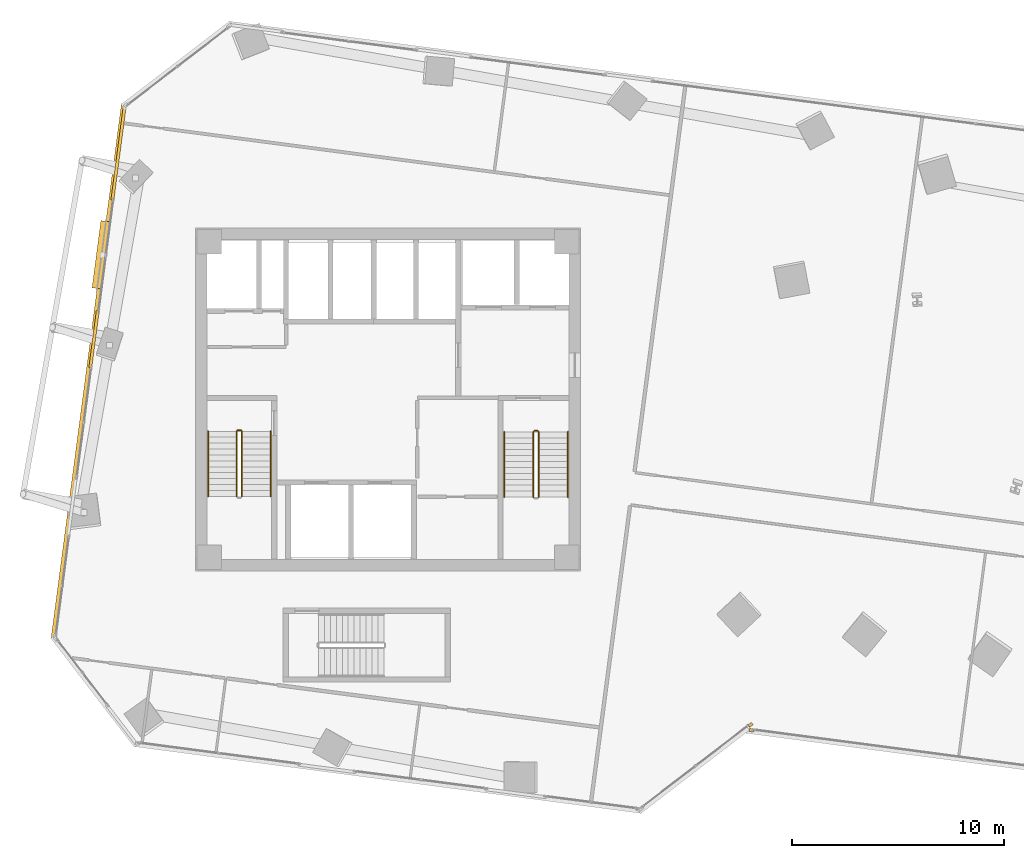
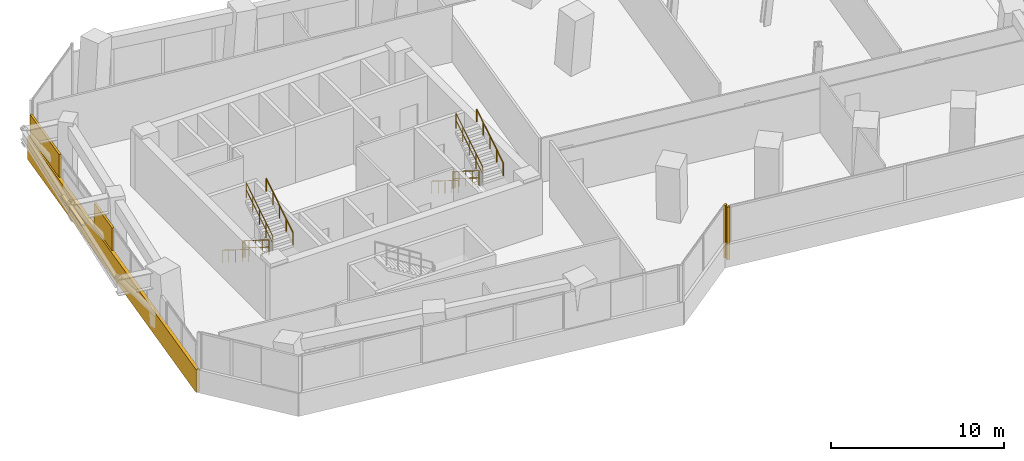
# One storey, part 22 of 24: 10 railings, 5 coverings, 1 shading device.
"""IFC4 building model written with IfcOpenShell, lengths in metres."""

from ifc_helpers import new_model, si_unit, direction, frame, origin, origin_2d, place, context, subcontext, project, spatial, rectangle, circle, extrude, source, transform, mapped, material, layer, layer_set, type_object, element, save


model = new_model("IFC4")

# Units and contexts
model_context = context("Model", 3, precision=1e-05, world=origin(), true_north=direction((0.0, 1.0)))
body_context = subcontext(model_context, "Body", "Model", "MODEL_VIEW")
ifc_project = project(units=[si_unit("LENGTHUNIT", "METRE"), si_unit("AREAUNIT", "SQUARE_METRE"), si_unit("VOLUMEUNIT", "CUBIC_METRE"), si_unit("PLANEANGLEUNIT", "RADIAN"), si_unit("MASSUNIT", "GRAM", prefix="KILO")], contexts=[model_context])

# Site, building, storey
site_placement = place(None, origin())
site = spatial("IfcSite", under=ifc_project, at=site_placement, CompositionType="ELEMENT")
building_placement = place(site_placement, origin())
building = spatial("IfcBuilding", under=site, at=building_placement, Name="Torre Montelarca", CompositionType="ELEMENT")
storey_placement = place(building_placement, frame((0.0, 0.0, 70.60009765625)))
storey = spatial("IfcBuildingStorey", under=building, at=storey_placement, Name="L15", CompositionType="ELEMENT", Elevation=70.60009765625)

# Railings
ifc_material_1 = material(Name="Powder-coated steel ASTM A500 Grade C", Category="steel")
railing_type_1 = type_object("IfcRailingType", Name="RL-GUARD-1100", PredefinedType="BALUSTRADE", material=ifc_material_1)
railing_1_placement = place(storey_placement, frame((10.85009765625, 30.5, 0.1748046875)))
element("IfcRailing", 1, at=railing_1_placement, inside=storey, type_object=railing_type_1, Name="L15 ST1 stair guard 1", PredefinedType="BALUSTRADE", context=body_context, shape_type="SweptSolid", body=[
    extrude(circle(Radius=0.02392578125, at=origin_2d()), frame((0.0, 0.0, 1.076171875), z_axis=(0.0, -0.847998304005, 0.529998940003), x_axis=(1.0, 0.0, 0.0)), (0.0, 0.0, 1.0), 3.632080078125),
    extrude(circle(Radius=0.02099609375, at=origin_2d()), frame((0.0, 0.0, 0.572021484375), z_axis=(0.0, -0.847998304005, 0.529998940003), x_axis=(1.0, 0.0, 0.0)), (0.0, 0.0, 1.0), 3.632080078125),
    extrude(circle(Radius=0.02099609375, at=origin_2d()), origin(), (0.0, 0.0, 1.0), 1.052001953125),
    extrude(circle(Radius=0.02099609375, at=origin_2d()), frame((0.0, -0.77001953125, 0.481201171875)), (0.0, 0.0, 1.0), 1.052001953125),
    extrude(circle(Radius=0.02099609375, at=origin_2d()), frame((0.0, -1.5400390625, 0.96240234375)), (0.0, 0.0, 1.0), 1.052001953125),
    extrude(circle(Radius=0.02099609375, at=origin_2d()), frame((0.0, -2.31005859375, 1.44384765625)), (0.0, 0.0, 1.0), 1.052001953125),
    extrude(circle(Radius=0.02099609375, at=origin_2d()), frame((0.0, -3.080078125, 1.925048828125)), (0.0, 0.0, 1.0), 1.052001953125),
])
railing_2_placement = place(storey_placement, frame((11.10009765625, 27.419921875, 2.27490234375)))
element("IfcRailing", 2, at=railing_2_placement, inside=storey, type_object=railing_type_1, Name="L15 ST1 stair guard 3", PredefinedType="BALUSTRADE", context=body_context, shape_type="SweptSolid", body=[
    extrude(circle(Radius=0.02392578125, at=origin_2d()), frame((0.0, 0.0, 1.076171875), z_axis=(0.0, 0.847998304005, 0.529998940003), x_axis=(-1.0, 0.0, 0.0)), (0.0, 0.0, 1.0), 3.632080078125),
    extrude(circle(Radius=0.02099609375, at=origin_2d()), frame((0.0, 0.0, 0.572021484375), z_axis=(0.0, 0.847998304005, 0.529998940003), x_axis=(-1.0, 0.0, 0.0)), (0.0, 0.0, 1.0), 3.632080078125),
    extrude(circle(Radius=0.02099609375, at=origin_2d()), origin(), (0.0, 0.0, 1.0), 1.052001953125),
    extrude(circle(Radius=0.02099609375, at=origin_2d()), frame((0.0, 0.77001953125, 0.481201171875)), (0.0, 0.0, 1.0), 1.052001953125),
    extrude(circle(Radius=0.02099609375, at=origin_2d()), frame((0.0, 1.5400390625, 0.96240234375)), (0.0, 0.0, 1.0), 1.052001953125),
    extrude(circle(Radius=0.02099609375, at=origin_2d()), frame((0.0, 2.31005859375, 1.44384765625)), (0.0, 0.0, 1.0), 1.052001953125),
    extrude(circle(Radius=0.02099609375, at=origin_2d()), frame((0.0, 3.080078125, 1.925048828125)), (0.0, 0.0, 1.0), 1.052001953125),
])
railing_3_placement = place(storey_placement, frame((10.89990234375, 30.550048828125, 0.0)))
element("IfcRailing", 3, at=railing_3_placement, inside=storey, type_object=railing_type_1, Name="L15 ST1 stair guard 4", PredefinedType="BALUSTRADE", context=body_context, shape_type="SweptSolid", body=[
    extrude(circle(Radius=0.02392578125, at=origin_2d()), frame((0.0, 0.0, 1.076171875), z_axis=(1.0, 0.0, 0.0), x_axis=(0.0, 1.0, 0.0)), (0.0, 0.0, 1.0), 0.150146484375),
    extrude(circle(Radius=0.02099609375, at=origin_2d()), frame((0.0, 0.0, 0.572021484375), z_axis=(1.0, 0.0, 0.0), x_axis=(0.0, 1.0, 0.0)), (0.0, 0.0, 1.0), 0.150146484375),
    extrude(circle(Radius=0.02099609375, at=origin_2d()), origin(), (0.0, 0.0, 1.0), 1.052001953125),
    extrude(circle(Radius=0.02099609375, at=origin_2d()), frame((0.150146484375, 0.0, 0.0)), (0.0, 0.0, 1.0), 1.052001953125),
])
railing_4_placement = place(storey_placement, frame((24.8701171875, 30.469970703125, 0.1748046875)))
element("IfcRailing", 4, at=railing_4_placement, inside=storey, type_object=railing_type_1, Name="L15 ST2 stair guard 1", PredefinedType="BALUSTRADE", context=body_context, shape_type="SweptSolid", body=[
    extrude(circle(Radius=0.02392578125, at=origin_2d()), frame((0.0, 0.0, 1.076171875), z_axis=(0.0, -0.847998304005, 0.529998940003), x_axis=(1.0, 0.0, 0.0)), (0.0, 0.0, 1.0), 3.632080078125),
    extrude(circle(Radius=0.02099609375, at=origin_2d()), frame((0.0, 0.0, 0.572021484375), z_axis=(0.0, -0.847998304005, 0.529998940003), x_axis=(1.0, 0.0, 0.0)), (0.0, 0.0, 1.0), 3.632080078125),
    extrude(circle(Radius=0.02099609375, at=origin_2d()), origin(), (0.0, 0.0, 1.0), 1.052001953125),
    extrude(circle(Radius=0.02099609375, at=origin_2d()), frame((0.0, -0.77001953125, 0.481201171875)), (0.0, 0.0, 1.0), 1.052001953125),
    extrude(circle(Radius=0.02099609375, at=origin_2d()), frame((0.0, -1.5400390625, 0.96240234375)), (0.0, 0.0, 1.0), 1.052001953125),
    extrude(circle(Radius=0.02099609375, at=origin_2d()), frame((0.0, -2.31005859375, 1.44384765625)), (0.0, 0.0, 1.0), 1.052001953125),
    extrude(circle(Radius=0.02099609375, at=origin_2d()), frame((0.0, -3.080078125, 1.925048828125)), (0.0, 0.0, 1.0), 1.052001953125),
])
railing_5_placement = place(storey_placement, frame((25.1201171875, 27.389892578125, 2.27490234375)))
element("IfcRailing", 5, at=railing_5_placement, inside=storey, type_object=railing_type_1, Name="L15 ST2 stair guard 3", PredefinedType="BALUSTRADE", context=body_context, shape_type="SweptSolid", body=[
    extrude(circle(Radius=0.02392578125, at=origin_2d()), frame((0.0, 0.0, 1.076171875), z_axis=(0.0, 0.847998304005, 0.529998940003), x_axis=(-1.0, 0.0, 0.0)), (0.0, 0.0, 1.0), 3.632080078125),
    extrude(circle(Radius=0.02099609375, at=origin_2d()), frame((0.0, 0.0, 0.572021484375), z_axis=(0.0, 0.847998304005, 0.529998940003), x_axis=(-1.0, 0.0, 0.0)), (0.0, 0.0, 1.0), 3.632080078125),
    extrude(circle(Radius=0.02099609375, at=origin_2d()), origin(), (0.0, 0.0, 1.0), 1.052001953125),
    extrude(circle(Radius=0.02099609375, at=origin_2d()), frame((0.0, 0.77001953125, 0.481201171875)), (0.0, 0.0, 1.0), 1.052001953125),
    extrude(circle(Radius=0.02099609375, at=origin_2d()), frame((0.0, 1.5400390625, 0.96240234375)), (0.0, 0.0, 1.0), 1.052001953125),
    extrude(circle(Radius=0.02099609375, at=origin_2d()), frame((0.0, 2.31005859375, 1.44384765625)), (0.0, 0.0, 1.0), 1.052001953125),
    extrude(circle(Radius=0.02099609375, at=origin_2d()), frame((0.0, 3.080078125, 1.925048828125)), (0.0, 0.0, 1.0), 1.052001953125),
])
railing_6_placement = place(storey_placement, frame((24.919921875, 30.52001953125, 0.0)))
element("IfcRailing", 6, at=railing_6_placement, inside=storey, type_object=railing_type_1, Name="L15 ST2 stair guard 4", PredefinedType="BALUSTRADE", context=body_context, shape_type="SweptSolid", body=[
    extrude(circle(Radius=0.02392578125, at=origin_2d()), frame((0.0, 0.0, 1.076171875), z_axis=(1.0, 0.0, 0.0), x_axis=(0.0, 1.0, 0.0)), (0.0, 0.0, 1.0), 0.150146484375),
    extrude(circle(Radius=0.02099609375, at=origin_2d()), frame((0.0, 0.0, 0.572021484375), z_axis=(1.0, 0.0, 0.0), x_axis=(0.0, 1.0, 0.0)), (0.0, 0.0, 1.0), 0.150146484375),
    extrude(circle(Radius=0.02099609375, at=origin_2d()), origin(), (0.0, 0.0, 1.0), 1.052001953125),
    extrude(circle(Radius=0.02099609375, at=origin_2d()), frame((0.150146484375, 0.0, 0.0)), (0.0, 0.0, 1.0), 1.052001953125),
])
ifc_material_2 = material(Name="Brushed stainless steel AISI 316", Category="steel")
railing_type_2 = type_object("IfcRailingType", Name="RL-HANDRAIL-900", PredefinedType="HANDRAIL", material=ifc_material_2)
railing_7_placement = place(storey_placement, frame((9.5, 30.5, 0.1748046875)))
element("IfcRailing", 7, at=railing_7_placement, inside=storey, type_object=railing_type_2, Name="L15 ST1 stair handrail 1", PredefinedType="HANDRAIL", context=body_context, shape_type="SweptSolid", body=[
    extrude(circle(Radius=0.02392578125, at=origin_2d()), frame((0.0, 0.0, 0.8759765625), z_axis=(0.0, -0.847998304005, 0.529998940003), x_axis=(1.0, 0.0, 0.0)), (0.0, 0.0, 1.0), 3.632080078125),
    extrude(circle(Radius=0.02099609375, at=origin_2d()), origin(), (0.0, 0.0, 1.0), 0.851806640625),
    extrude(circle(Radius=0.02099609375, at=origin_2d()), frame((0.0, -0.77001953125, 0.481201171875)), (0.0, 0.0, 1.0), 0.851806640625),
    extrude(circle(Radius=0.02099609375, at=origin_2d()), frame((0.0, -1.5400390625, 0.96240234375)), (0.0, 0.0, 1.0), 0.851806640625),
    extrude(circle(Radius=0.02099609375, at=origin_2d()), frame((0.0, -2.31005859375, 1.44384765625)), (0.0, 0.0, 1.0), 0.851806640625),
    extrude(circle(Radius=0.02099609375, at=origin_2d()), frame((0.0, -3.080078125, 1.925048828125)), (0.0, 0.0, 1.0), 0.851806640625),
])
railing_8_placement = place(storey_placement, frame((12.449951171875, 27.419921875, 2.27490234375)))
element("IfcRailing", 8, at=railing_8_placement, inside=storey, type_object=railing_type_2, Name="L15 ST1 stair handrail 2", PredefinedType="HANDRAIL", context=body_context, shape_type="SweptSolid", body=[
    extrude(circle(Radius=0.02392578125, at=origin_2d()), frame((0.0, 0.0, 0.8759765625), z_axis=(0.0, 0.847998304005, 0.529998940003), x_axis=(-1.0, 0.0, 0.0)), (0.0, 0.0, 1.0), 3.632080078125),
    extrude(circle(Radius=0.02099609375, at=origin_2d()), origin(), (0.0, 0.0, 1.0), 0.851806640625),
    extrude(circle(Radius=0.02099609375, at=origin_2d()), frame((0.0, 0.77001953125, 0.481201171875)), (0.0, 0.0, 1.0), 0.851806640625),
    extrude(circle(Radius=0.02099609375, at=origin_2d()), frame((0.0, 1.5400390625, 0.96240234375)), (0.0, 0.0, 1.0), 0.851806640625),
    extrude(circle(Radius=0.02099609375, at=origin_2d()), frame((0.0, 2.31005859375, 1.44384765625)), (0.0, 0.0, 1.0), 0.851806640625),
    extrude(circle(Radius=0.02099609375, at=origin_2d()), frame((0.0, 3.080078125, 1.925048828125)), (0.0, 0.0, 1.0), 0.851806640625),
])
railing_9_placement = place(storey_placement, frame((23.489990234375, 30.469970703125, 0.1748046875)))
element("IfcRailing", 9, at=railing_9_placement, inside=storey, type_object=railing_type_2, Name="L15 ST2 stair handrail 1", PredefinedType="HANDRAIL", context=body_context, shape_type="SweptSolid", body=[
    extrude(circle(Radius=0.02392578125, at=origin_2d()), frame((0.0, 0.0, 0.8759765625), z_axis=(0.0, -0.847998304005, 0.529998940003), x_axis=(1.0, 0.0, 0.0)), (0.0, 0.0, 1.0), 3.632080078125),
    extrude(circle(Radius=0.02099609375, at=origin_2d()), origin(), (0.0, 0.0, 1.0), 0.851806640625),
    extrude(circle(Radius=0.02099609375, at=origin_2d()), frame((0.0, -0.77001953125, 0.481201171875)), (0.0, 0.0, 1.0), 0.851806640625),
    extrude(circle(Radius=0.02099609375, at=origin_2d()), frame((0.0, -1.5400390625, 0.96240234375)), (0.0, 0.0, 1.0), 0.851806640625),
    extrude(circle(Radius=0.02099609375, at=origin_2d()), frame((0.0, -2.31005859375, 1.44384765625)), (0.0, 0.0, 1.0), 0.851806640625),
    extrude(circle(Radius=0.02099609375, at=origin_2d()), frame((0.0, -3.080078125, 1.925048828125)), (0.0, 0.0, 1.0), 0.851806640625),
])
railing_10_placement = place(storey_placement, frame((26.5, 27.389892578125, 2.27490234375)))
element("IfcRailing", 10, at=railing_10_placement, inside=storey, type_object=railing_type_2, Name="L15 ST2 stair handrail 2", PredefinedType="HANDRAIL", context=body_context, shape_type="SweptSolid", body=[
    extrude(circle(Radius=0.02392578125, at=origin_2d()), frame((0.0, 0.0, 0.8759765625), z_axis=(0.0, 0.847998304005, 0.529998940003), x_axis=(-1.0, 0.0, 0.0)), (0.0, 0.0, 1.0), 3.632080078125),
    extrude(circle(Radius=0.02099609375, at=origin_2d()), origin(), (0.0, 0.0, 1.0), 0.851806640625),
    extrude(circle(Radius=0.02099609375, at=origin_2d()), frame((0.0, 0.77001953125, 0.481201171875)), (0.0, 0.0, 1.0), 0.851806640625),
    extrude(circle(Radius=0.02099609375, at=origin_2d()), frame((0.0, 1.5400390625, 0.96240234375)), (0.0, 0.0, 1.0), 0.851806640625),
    extrude(circle(Radius=0.02099609375, at=origin_2d()), frame((0.0, 2.31005859375, 1.44384765625)), (0.0, 0.0, 1.0), 0.851806640625),
    extrude(circle(Radius=0.02099609375, at=origin_2d()), frame((0.0, 3.080078125, 1.925048828125)), (0.0, 0.0, 1.0), 0.851806640625),
])

# Covering
ifc_material_3 = material(Name="Bush-hammered warm white precast concrete C45/55", Category="concrete")
ifc_layer_1 = layer(ifc_material_3, 0.139892578125, Name="Bush-hammered warm white precast concrete C45/55", Category="concrete")
ifc_layer_set_1 = layer_set([ifc_layer_1], Name="Bush-hammered warm white precast concrete C45/55")
covering_type = type_object("IfcCoveringType", Name="COV-TRAY-CLAD", PredefinedType="CLADDING", material=ifc_layer_set_1)
shared_shape_1 = source(origin(), body_context, "Body", "SweptSolid", [
    extrude(rectangle(XDim=25.52001953125, YDim=0.219970703125, at=origin_2d()), origin(), (0.0, 0.0, 1.0), 1.6201171875),
])
covering_1_placement = place(storey_placement, frame((3.8505859375, 33.31494140625, -0.4501953125), z_axis=(0.0, 0.0, 1.0), x_axis=(-0.130527922618, -0.991444633561, 0.0)))
element("IfcCovering", 11, at=covering_1_placement, inside=storey, type_object=covering_type, Name="L15 Architectural White Spandrel Tray Band TRYBOT-10", PredefinedType="CLADDING", context=body_context, shape_type="MappedRepresentation", body=[
    mapped(shared_shape_1, transform((0.0, 0.0, 0.0), scale=1.0)),
])

# Shading device
ifc_material_4 = material(Name="Anodised champagne bronze aluminium AA 6063-T6", Category="aluminium")
ifc_layer_2 = layer(ifc_material_4, 0.070068359375, Name="Anodised champagne bronze aluminium AA 6063-T6", Category="aluminium")
ifc_layer_set_2 = layer_set([ifc_layer_2], Name="Anodised champagne bronze aluminium AA 6063-T6")
shading_device_type = type_object("IfcShadingDeviceType", Name="SHD-SUNSHADE-1", PredefinedType="USERDEFINED", material=ifc_layer_set_2)
shared_shape_2 = source(origin(), body_context, "Body", "SweptSolid", [
    extrude(rectangle(XDim=3.199951171875, YDim=0.47998046875, at=origin_2d()), origin(), (0.0, 0.0, 1.0), 0.10009765625),
])
shading_device_placement = place(storey_placement, frame((4.466064453125, 38.832275390625, 0.56982421875), z_axis=(0.0, 0.0, 1.0), x_axis=(-0.130527922618, -0.991444633561, 0.0)))
element("IfcShadingDevice", 12, at=shading_device_placement, inside=storey, type_object=shading_device_type, Name="L15 Facade Solar Shading Device E10", ObjectType="SUNSHADE", PredefinedType="USERDEFINED", context=body_context, shape_type="MappedRepresentation", body=[
    mapped(shared_shape_2, transform((0.0, 0.0, 0.0), scale=1.0)),
])

# Coverings
shared_shape_3 = source(origin(), body_context, "Body", "SweptSolid", [
    extrude(rectangle(XDim=0.199951171875, YDim=0.139892578125, at=origin_2d()), origin(), (0.0, 0.0, 1.0), 3.719970703125),
])
for number, where, z_axis, x_axis, name in (
    (13, (35.125, 16.631591796875, 0.0), (0.0, 0.0, 1.0), (0.793349090315, 0.608766967645, 0.0), "L15 Architectural Column Pier Cladding E02-2"),
    (14, (35.169189453125, 16.3720703125, 0.0), (0.0, 0.0, 1.0), (0.991444861374, -0.13052619222, 0.0), "L15 Architectural Column Pier Cladding E04-1"),
):
    element("IfcCovering", number, at=place(storey_placement, frame(where, z_axis=z_axis, x_axis=x_axis)), inside=storey, type_object=covering_type, Name=name, PredefinedType="CLADDING", context=body_context, shape_type="MappedRepresentation", body=[
        mapped(shared_shape_3, transform((0.0, 0.0, 0.0), scale=1.0)),
    ])
shared_shape_4 = source(origin(), body_context, "Body", "SweptSolid", [
    extrude(rectangle(XDim=4.3984375, YDim=0.139892578125, at=origin_2d()), origin(), (0.0, 0.0, 1.0), 2.77490234375),
])
covering_2_placement = place(storey_placement, frame((5.265625, 43.603271484375, 0.0), z_axis=(0.0, 0.0, 1.0), x_axis=(-0.130527922618, -0.991444633561, 0.0)))
element("IfcCovering", 15, at=covering_2_placement, inside=storey, type_object=covering_type, Name="L15 Architectural Column Pier Cladding E10-2", PredefinedType="CLADDING", context=body_context, shape_type="MappedRepresentation", body=[
    mapped(shared_shape_4, transform((0.0, 0.0, 0.0), scale=1.0)),
])
shared_shape_5 = source(origin(), body_context, "Body", "SweptSolid", [
    extrude(rectangle(XDim=2.727294921875, YDim=0.139892578125, at=origin_2d()), origin(), (0.0, 0.0, 1.0), 2.77490234375),
])
covering_3_placement = place(storey_placement, frame((4.112548828125, 34.84521484375, 0.0), z_axis=(0.0, 0.0, 1.0), x_axis=(-0.130527922618, -0.991444633561, 0.0)))
element("IfcCovering", 16, at=covering_3_placement, inside=storey, type_object=covering_type, Name="L15 Architectural Column Pier Cladding E10-3", PredefinedType="CLADDING", context=body_context, shape_type="MappedRepresentation", body=[
    mapped(shared_shape_5, transform((0.0, 0.0, 0.0), scale=1.0)),
])

save(model, "model.ifc")
